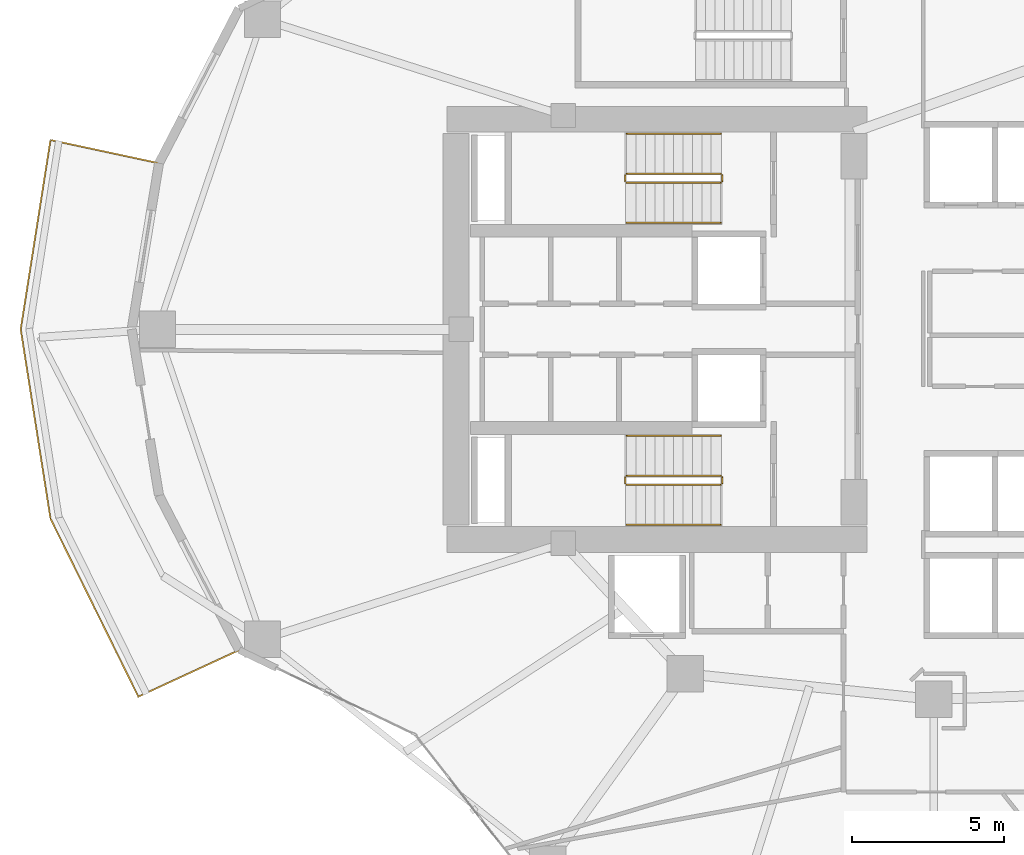
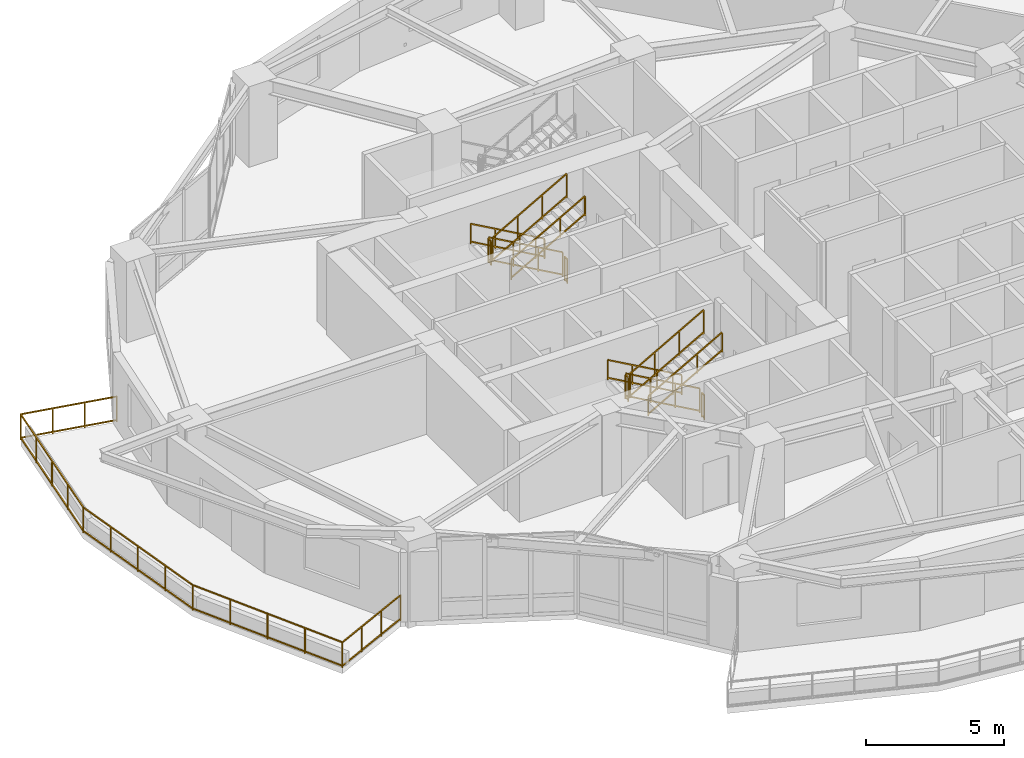
# One storey, part 16 of 18: 13 railings.
"""IFC4 building model written with IfcOpenShell, lengths in metres."""

from ifc_helpers import new_model, si_unit, direction, frame, origin, origin_2d, place, context, subcontext, project, spatial, rectangle, extrude, material, type_object, element, save


model = new_model("IFC4")

# Units and contexts
model_context = context("Model", 3, precision=1e-05, world=origin(), true_north=direction((0.0, 1.0)))
body_context = subcontext(model_context, "Body", "Model", "MODEL_VIEW")
ifc_project = project(units=[si_unit("LENGTHUNIT", "METRE"), si_unit("AREAUNIT", "SQUARE_METRE"), si_unit("VOLUMEUNIT", "CUBIC_METRE"), si_unit("PLANEANGLEUNIT", "RADIAN"), si_unit("MASSUNIT", "GRAM", prefix="KILO")], contexts=[model_context])

# Site, building, storey
site_placement = place(None, origin())
site = spatial("IfcSite", under=ifc_project, at=site_placement, CompositionType="ELEMENT")
building_placement = place(site_placement, origin())
building = spatial("IfcBuilding", under=site, at=building_placement, Name="Kolvaren Gate Tower and Convention Centre", CompositionType="ELEMENT")
storey_placement = place(building_placement, frame((0.0, 0.0, 53.449951171875)))
storey = spatial("IfcBuildingStorey", under=building, at=storey_placement, Name="L12", CompositionType="ELEMENT", Elevation=53.449951171875)

# Railings
ifc_material = material(Name="Brushed Stainless Steel Grade 316L", Category="steel")
railing_type_1 = type_object("IfcRailingType", Name="ARCH-RL-GUARD-1150", PredefinedType="GUARDRAIL", material=ifc_material)
railing_1_placement = place(storey_placement, frame((23.10009765625, 32.1298828125, 0.175048828125)))
element("IfcRailing", 1, at=railing_1_placement, inside=storey, type_object=railing_type_1, Name="L12 ST-T1 stair guard 1", PredefinedType="GUARDRAIL", context=body_context, shape_type="SweptSolid", body=[
    extrude(rectangle(XDim=0.048095703125, YDim=0.048095703125, at=origin_2d()), frame((0.0, 0.0, 1.076171875), z_axis=(-0.870830938388, 0.0, 0.491582624537), x_axis=(0.0, -1.0, 0.0)), (0.0, 0.0, 1.0), 3.559814453125),
    extrude(rectangle(XDim=0.048095703125, YDim=0.048095703125, at=origin_2d()), frame((0.0, 0.0, 0.083984375), z_axis=(-0.870830938388, 0.0, 0.491582624537), x_axis=(0.0, -1.0, 0.0)), (0.0, 0.0, 1.0), 3.559814453125),
    extrude(rectangle(XDim=0.0419921875, YDim=0.0419921875, at=origin_2d()), origin(), (0.0, 0.0, 1.0), 1.050048828125),
    extrude(rectangle(XDim=0.0419921875, YDim=0.0419921875, at=origin_2d()), frame((-3.10009765625, 0.0, 1.75)), (0.0, 0.0, 1.0), 1.050048828125),
    extrude(rectangle(XDim=0.0419921875, YDim=0.0419921875, at=origin_2d()), frame((-1.033447265625, 0.0, 0.583251953125)), (0.0, 0.0, 1.0), 1.050048828125),
    extrude(rectangle(XDim=0.0419921875, YDim=0.0419921875, at=origin_2d()), frame((-2.066650390625, 0.0, 1.166748046875)), (0.0, 0.0, 1.0), 1.050048828125),
])
railing_2_placement = place(storey_placement, frame((19.949951171875, 32.080078125, 1.925048828125)))
element("IfcRailing", 2, at=railing_2_placement, inside=storey, type_object=railing_type_1, Name="L12 ST-T1 stair guard 2", PredefinedType="GUARDRAIL", context=body_context, shape_type="SweptSolid", body=[
    extrude(rectangle(XDim=0.048095703125, YDim=0.048095703125, at=origin_2d()), frame((0.0, 0.0, 1.076171875), z_axis=(0.0, -1.0, 0.0), x_axis=(1.0, 0.0, 0.0)), (0.0, 0.0, 1.0), 0.2001953125),
    extrude(rectangle(XDim=0.048095703125, YDim=0.048095703125, at=origin_2d()), frame((0.0, 0.0, 0.083984375), z_axis=(0.0, -1.0, 0.0), x_axis=(1.0, 0.0, 0.0)), (0.0, 0.0, 1.0), 0.2001953125),
    extrude(rectangle(XDim=0.0419921875, YDim=0.0419921875, at=origin_2d()), origin(), (0.0, 0.0, 1.0), 1.050048828125),
    extrude(rectangle(XDim=0.0419921875, YDim=0.0419921875, at=origin_2d()), frame((0.0, -0.2001953125, 0.0)), (0.0, 0.0, 1.0), 1.050048828125),
])
railing_3_placement = place(storey_placement, frame((20.0, 31.830078125, 2.10009765625)))
element("IfcRailing", 3, at=railing_3_placement, inside=storey, type_object=railing_type_1, Name="L12 ST-T1 stair guard 3", PredefinedType="GUARDRAIL", context=body_context, shape_type="SweptSolid", body=[
    extrude(rectangle(XDim=0.048095703125, YDim=0.048095703125, at=origin_2d()), frame((0.0, 0.0, 1.076171875), z_axis=(0.870830938388, 0.0, 0.491582624537), x_axis=(0.0, 1.0, 0.0)), (0.0, 0.0, 1.0), 3.559814453125),
    extrude(rectangle(XDim=0.048095703125, YDim=0.048095703125, at=origin_2d()), frame((0.0, 0.0, 0.083984375), z_axis=(0.870830938388, 0.0, 0.491582624537), x_axis=(0.0, 1.0, 0.0)), (0.0, 0.0, 1.0), 3.559814453125),
    extrude(rectangle(XDim=0.0419921875, YDim=0.0419921875, at=origin_2d()), origin(), (0.0, 0.0, 1.0), 1.050048828125),
    extrude(rectangle(XDim=0.0419921875, YDim=0.0419921875, at=origin_2d()), frame((3.10009765625, 0.0, 1.75)), (0.0, 0.0, 1.0), 1.050048828125),
    extrude(rectangle(XDim=0.0419921875, YDim=0.0419921875, at=origin_2d()), frame((1.033447265625, 0.0, 0.583251953125)), (0.0, 0.0, 1.0), 1.050048828125),
    extrude(rectangle(XDim=0.0419921875, YDim=0.0419921875, at=origin_2d()), frame((2.066650390625, 0.0, 1.166748046875)), (0.0, 0.0, 1.0), 1.050048828125),
])
railing_4_placement = place(storey_placement, frame((23.14990234375, 32.080078125, 0.0)))
element("IfcRailing", 4, at=railing_4_placement, inside=storey, type_object=railing_type_1, Name="L12 ST-T1 stair guard 4", PredefinedType="GUARDRAIL", context=body_context, shape_type="SweptSolid", body=[
    extrude(rectangle(XDim=0.048095703125, YDim=0.048095703125, at=origin_2d()), frame((0.0, 0.0, 1.076171875), z_axis=(0.0, -1.0, 0.0), x_axis=(1.0, 0.0, 0.0)), (0.0, 0.0, 1.0), 0.2001953125),
    extrude(rectangle(XDim=0.048095703125, YDim=0.048095703125, at=origin_2d()), frame((0.0, 0.0, 0.083984375), z_axis=(0.0, -1.0, 0.0), x_axis=(1.0, 0.0, 0.0)), (0.0, 0.0, 1.0), 0.2001953125),
    extrude(rectangle(XDim=0.0419921875, YDim=0.0419921875, at=origin_2d()), origin(), (0.0, 0.0, 1.0), 1.050048828125),
    extrude(rectangle(XDim=0.0419921875, YDim=0.0419921875, at=origin_2d()), frame((0.0, -0.2001953125, 0.0)), (0.0, 0.0, 1.0), 1.050048828125),
])
railing_5_placement = place(storey_placement, frame((23.10009765625, 22.169921875, 0.175048828125)))
element("IfcRailing", 5, at=railing_5_placement, inside=storey, type_object=railing_type_1, Name="L12 ST-T2 stair guard 1", PredefinedType="GUARDRAIL", context=body_context, shape_type="SweptSolid", body=[
    extrude(rectangle(XDim=0.048095703125, YDim=0.048095703125, at=origin_2d()), frame((0.0, 0.0, 1.076171875), z_axis=(-0.870830938388, 0.0, 0.491582624537), x_axis=(0.0, -1.0, 0.0)), (0.0, 0.0, 1.0), 3.559814453125),
    extrude(rectangle(XDim=0.048095703125, YDim=0.048095703125, at=origin_2d()), frame((0.0, 0.0, 0.083984375), z_axis=(-0.870830938388, 0.0, 0.491582624537), x_axis=(0.0, -1.0, 0.0)), (0.0, 0.0, 1.0), 3.559814453125),
    extrude(rectangle(XDim=0.0419921875, YDim=0.0419921875, at=origin_2d()), origin(), (0.0, 0.0, 1.0), 1.050048828125),
    extrude(rectangle(XDim=0.0419921875, YDim=0.0419921875, at=origin_2d()), frame((-3.10009765625, 0.0, 1.75)), (0.0, 0.0, 1.0), 1.050048828125),
    extrude(rectangle(XDim=0.0419921875, YDim=0.0419921875, at=origin_2d()), frame((-1.033447265625, 0.0, 0.583251953125)), (0.0, 0.0, 1.0), 1.050048828125),
    extrude(rectangle(XDim=0.0419921875, YDim=0.0419921875, at=origin_2d()), frame((-2.066650390625, 0.0, 1.166748046875)), (0.0, 0.0, 1.0), 1.050048828125),
])
railing_6_placement = place(storey_placement, frame((19.949951171875, 22.1201171875, 1.925048828125)))
element("IfcRailing", 6, at=railing_6_placement, inside=storey, type_object=railing_type_1, Name="L12 ST-T2 stair guard 2", PredefinedType="GUARDRAIL", context=body_context, shape_type="SweptSolid", body=[
    extrude(rectangle(XDim=0.048095703125, YDim=0.048095703125, at=origin_2d()), frame((0.0, 0.0, 1.076171875), z_axis=(0.0, -1.0, 0.0), x_axis=(1.0, 0.0, 0.0)), (0.0, 0.0, 1.0), 0.2001953125),
    extrude(rectangle(XDim=0.048095703125, YDim=0.048095703125, at=origin_2d()), frame((0.0, 0.0, 0.083984375), z_axis=(0.0, -1.0, 0.0), x_axis=(1.0, 0.0, 0.0)), (0.0, 0.0, 1.0), 0.2001953125),
    extrude(rectangle(XDim=0.0419921875, YDim=0.0419921875, at=origin_2d()), origin(), (0.0, 0.0, 1.0), 1.050048828125),
    extrude(rectangle(XDim=0.0419921875, YDim=0.0419921875, at=origin_2d()), frame((0.0, -0.2001953125, 0.0)), (0.0, 0.0, 1.0), 1.050048828125),
])
railing_7_placement = place(storey_placement, frame((20.0, 21.8701171875, 2.10009765625)))
element("IfcRailing", 7, at=railing_7_placement, inside=storey, type_object=railing_type_1, Name="L12 ST-T2 stair guard 3", PredefinedType="GUARDRAIL", context=body_context, shape_type="SweptSolid", body=[
    extrude(rectangle(XDim=0.048095703125, YDim=0.048095703125, at=origin_2d()), frame((0.0, 0.0, 1.076171875), z_axis=(0.870830938388, 0.0, 0.491582624537), x_axis=(0.0, 1.0, 0.0)), (0.0, 0.0, 1.0), 3.559814453125),
    extrude(rectangle(XDim=0.048095703125, YDim=0.048095703125, at=origin_2d()), frame((0.0, 0.0, 0.083984375), z_axis=(0.870830938388, 0.0, 0.491582624537), x_axis=(0.0, 1.0, 0.0)), (0.0, 0.0, 1.0), 3.559814453125),
    extrude(rectangle(XDim=0.0419921875, YDim=0.0419921875, at=origin_2d()), origin(), (0.0, 0.0, 1.0), 1.050048828125),
    extrude(rectangle(XDim=0.0419921875, YDim=0.0419921875, at=origin_2d()), frame((3.10009765625, 0.0, 1.75)), (0.0, 0.0, 1.0), 1.050048828125),
    extrude(rectangle(XDim=0.0419921875, YDim=0.0419921875, at=origin_2d()), frame((1.033447265625, 0.0, 0.583251953125)), (0.0, 0.0, 1.0), 1.050048828125),
    extrude(rectangle(XDim=0.0419921875, YDim=0.0419921875, at=origin_2d()), frame((2.066650390625, 0.0, 1.166748046875)), (0.0, 0.0, 1.0), 1.050048828125),
])
railing_8_placement = place(storey_placement, frame((23.14990234375, 22.1201171875, 0.0)))
element("IfcRailing", 8, at=railing_8_placement, inside=storey, type_object=railing_type_1, Name="L12 ST-T2 stair guard 4", PredefinedType="GUARDRAIL", context=body_context, shape_type="SweptSolid", body=[
    extrude(rectangle(XDim=0.048095703125, YDim=0.048095703125, at=origin_2d()), frame((0.0, 0.0, 1.076171875), z_axis=(0.0, -1.0, 0.0), x_axis=(1.0, 0.0, 0.0)), (0.0, 0.0, 1.0), 0.2001953125),
    extrude(rectangle(XDim=0.048095703125, YDim=0.048095703125, at=origin_2d()), frame((0.0, 0.0, 0.083984375), z_axis=(0.0, -1.0, 0.0), x_axis=(1.0, 0.0, 0.0)), (0.0, 0.0, 1.0), 0.2001953125),
    extrude(rectangle(XDim=0.0419921875, YDim=0.0419921875, at=origin_2d()), origin(), (0.0, 0.0, 1.0), 1.050048828125),
    extrude(rectangle(XDim=0.0419921875, YDim=0.0419921875, at=origin_2d()), frame((0.0, -0.2001953125, 0.0)), (0.0, 0.0, 1.0), 1.050048828125),
])
railing_9_placement = place(storey_placement, frame((4.58837890625, 32.47412109375, 0.0)))
element("IfcRailing", 9, at=railing_9_placement, inside=storey, type_object=railing_type_1, Name="Tower L12 Terrace Perimeter Guardrail GR-2", PredefinedType="GUARDRAIL", context=body_context, shape_type="SweptSolid", body=[
    extrude(rectangle(XDim=0.048095703125, YDim=0.048095703125, at=origin_2d()), frame((-0.02734375, 0.005859375, 1.1259765625), z_axis=(-0.977791675321, 0.209579196661, 0.0), x_axis=(-0.209579196661, -0.977791675321, 0.0)), (0.0, 0.0, 1.0), 3.60400390625),
    extrude(rectangle(XDim=0.048095703125, YDim=0.048095703125, at=origin_2d()), frame((-0.02734375, 0.005859375, 0.083984375), z_axis=(-0.977791675321, 0.209579196661, 0.0), x_axis=(-0.209579196661, -0.977791675321, 0.0)), (0.0, 0.0, 1.0), 3.60400390625),
    extrude(rectangle(XDim=0.048095703125, YDim=0.048095703125, at=origin_2d()), frame((-3.583251953125, 0.739501953125, 1.1259765625), z_axis=(-0.155418843943, -0.98784866399, 0.0), x_axis=(0.98784866399, -0.155418843943, 0.0)), (0.0, 0.0, 1.0), 6.261962890625),
    extrude(rectangle(XDim=0.048095703125, YDim=0.048095703125, at=origin_2d()), frame((-3.583251953125, 0.739501953125, 0.083984375), z_axis=(-0.155418843943, -0.98784866399, 0.0), x_axis=(0.98784866399, -0.155418843943, 0.0)), (0.0, 0.0, 1.0), 6.261962890625),
    extrude(rectangle(XDim=0.048095703125, YDim=0.048095703125, at=origin_2d()), frame((-4.556396484375, -5.501708984375, 1.1259765625), z_axis=(0.155418843943, -0.98784866399, 0.0), x_axis=(0.98784866399, 0.155418843943, 0.0)), (0.0, 0.0, 1.0), 6.261962890625),
    extrude(rectangle(XDim=0.048095703125, YDim=0.048095703125, at=origin_2d()), frame((-4.556396484375, -5.501708984375, 0.083984375), z_axis=(0.155418843943, -0.98784866399, 0.0), x_axis=(0.98784866399, 0.155418843943, 0.0)), (0.0, 0.0, 1.0), 6.261962890625),
    extrude(rectangle(XDim=0.048095703125, YDim=0.048095703125, at=origin_2d()), frame((-3.56640625, -11.740478515625, 1.1259765625), z_axis=(0.442686636348, -0.89667638644, 0.0), x_axis=(0.89667638644, 0.442686636348, 0.0)), (0.0, 0.0, 1.0), 6.488525390625),
    extrude(rectangle(XDim=0.048095703125, YDim=0.048095703125, at=origin_2d()), frame((-3.56640625, -11.740478515625, 0.083984375), z_axis=(0.442686636348, -0.89667638644, 0.0), x_axis=(0.89667638644, 0.442686636348, 0.0)), (0.0, 0.0, 1.0), 6.488525390625),
    extrude(rectangle(XDim=0.048095703125, YDim=0.048095703125, at=origin_2d()), frame((-0.65625, -17.572021484375, 1.1259765625), z_axis=(0.907846116663, 0.419303503993, 0.0), x_axis=(-0.419303503993, 0.907846116663, 0.0)), (0.0, 0.0, 1.0), 3.60400390625),
    extrude(rectangle(XDim=0.048095703125, YDim=0.048095703125, at=origin_2d()), frame((-0.65625, -17.572021484375, 0.083984375), z_axis=(0.907846116663, 0.419303503993, 0.0), x_axis=(-0.419303503993, 0.907846116663, 0.0)), (0.0, 0.0, 1.0), 3.60400390625),
    extrude(rectangle(XDim=0.0419921875, YDim=0.0419921875, at=origin_2d()), origin(), (0.0, 0.0, 1.0), 1.14990234375),
    extrude(rectangle(XDim=0.0419921875, YDim=0.0419921875, at=origin_2d()), frame((-3.578857421875, 0.76708984375, 0.0)), (0.0, 0.0, 1.0), 1.14990234375),
    extrude(rectangle(XDim=0.0419921875, YDim=0.0419921875, at=origin_2d()), frame((-1.19287109375, 0.255615234375, 0.0)), (0.0, 0.0, 1.0), 1.099853515625),
    extrude(rectangle(XDim=0.0419921875, YDim=0.0419921875, at=origin_2d()), frame((-2.385986328125, 0.511474609375, 0.0)), (0.0, 0.0, 1.0), 1.099853515625),
    extrude(rectangle(XDim=0.0419921875, YDim=0.0419921875, at=origin_2d()), frame((-4.560791015625, -5.47412109375, 0.0)), (0.0, 0.0, 1.0), 1.14990234375),
    extrude(rectangle(XDim=0.0419921875, YDim=0.0419921875, at=origin_2d()), frame((-3.82421875, -0.793212890625, 0.0)), (0.0, 0.0, 1.0), 1.099853515625),
    extrude(rectangle(XDim=0.0419921875, YDim=0.0419921875, at=origin_2d()), frame((-4.06982421875, -2.353515625, 0.0)), (0.0, 0.0, 1.0), 1.099853515625),
    extrude(rectangle(XDim=0.0419921875, YDim=0.0419921875, at=origin_2d()), frame((-4.3154296875, -3.913818359375, 0.0)), (0.0, 0.0, 1.0), 1.099853515625),
    extrude(rectangle(XDim=0.0419921875, YDim=0.0419921875, at=origin_2d()), frame((-3.578857421875, -11.71533203125, 0.0)), (0.0, 0.0, 1.0), 1.14990234375),
    extrude(rectangle(XDim=0.0419921875, YDim=0.0419921875, at=origin_2d()), frame((-4.3154296875, -7.034423828125, 0.0)), (0.0, 0.0, 1.0), 1.099853515625),
    extrude(rectangle(XDim=0.0419921875, YDim=0.0419921875, at=origin_2d()), frame((-4.06982421875, -8.5947265625, 0.0)), (0.0, 0.0, 1.0), 1.099853515625),
    extrude(rectangle(XDim=0.0419921875, YDim=0.0419921875, at=origin_2d()), frame((-3.82421875, -10.155029296875, 0.0)), (0.0, 0.0, 1.0), 1.099853515625),
    extrude(rectangle(XDim=0.0419921875, YDim=0.0419921875, at=origin_2d()), frame((-0.681640625, -17.583740234375, 0.0)), (0.0, 0.0, 1.0), 1.14990234375),
    extrude(rectangle(XDim=0.0419921875, YDim=0.0419921875, at=origin_2d()), frame((-2.8544921875, -13.182373046875, 0.0)), (0.0, 0.0, 1.0), 1.099853515625),
    extrude(rectangle(XDim=0.0419921875, YDim=0.0419921875, at=origin_2d()), frame((-2.13037109375, -14.6494140625, 0.0)), (0.0, 0.0, 1.0), 1.099853515625),
    extrude(rectangle(XDim=0.0419921875, YDim=0.0419921875, at=origin_2d()), frame((-1.406005859375, -16.11669921875, 0.0)), (0.0, 0.0, 1.0), 1.099853515625),
    extrude(rectangle(XDim=0.0419921875, YDim=0.0419921875, at=origin_2d()), frame((2.64111328125, -16.049072265625, 0.0)), (0.0, 0.0, 1.0), 1.14990234375),
    extrude(rectangle(XDim=0.0419921875, YDim=0.0419921875, at=origin_2d()), frame((0.426025390625, -17.072265625, 0.0)), (0.0, 0.0, 1.0), 1.099853515625),
    extrude(rectangle(XDim=0.0419921875, YDim=0.0419921875, at=origin_2d()), frame((1.533447265625, -16.560546875, 0.0)), (0.0, 0.0, 1.0), 1.099853515625),
])
railing_type_2 = type_object("IfcRailingType", Name="ARCH-RL-HANDRAIL-920", PredefinedType="HANDRAIL", material=ifc_material)
railing_10_placement = place(storey_placement, frame((23.10009765625, 33.449951171875, 0.175048828125)))
element("IfcRailing", 10, at=railing_10_placement, inside=storey, type_object=railing_type_2, Name="L12 ST-T1 stair handrail 1", PredefinedType="HANDRAIL", context=body_context, shape_type="SweptSolid", body=[
    extrude(rectangle(XDim=0.048095703125, YDim=0.048095703125, at=origin_2d()), frame((0.0, 0.0, 0.8759765625), z_axis=(-0.870830938388, 0.0, 0.491582624537), x_axis=(0.0, -1.0, 0.0)), (0.0, 0.0, 1.0), 3.559814453125),
    extrude(rectangle(XDim=0.048095703125, YDim=0.048095703125, at=origin_2d()), frame((0.0, 0.0, 0.083984375), z_axis=(-0.870830938388, 0.0, 0.491582624537), x_axis=(0.0, -1.0, 0.0)), (0.0, 0.0, 1.0), 3.559814453125),
    extrude(rectangle(XDim=0.0419921875, YDim=0.0419921875, at=origin_2d()), origin(), (0.0, 0.0, 1.0), 0.849853515625),
    extrude(rectangle(XDim=0.0419921875, YDim=0.0419921875, at=origin_2d()), frame((-3.10009765625, 0.0, 1.75)), (0.0, 0.0, 1.0), 0.849853515625),
    extrude(rectangle(XDim=0.0419921875, YDim=0.0419921875, at=origin_2d()), frame((-1.033447265625, 0.0, 0.583251953125)), (0.0, 0.0, 1.0), 0.849853515625),
    extrude(rectangle(XDim=0.0419921875, YDim=0.0419921875, at=origin_2d()), frame((-2.066650390625, 0.0, 1.166748046875)), (0.0, 0.0, 1.0), 0.849853515625),
])
railing_11_placement = place(storey_placement, frame((20.0, 30.510009765625, 2.10009765625)))
element("IfcRailing", 11, at=railing_11_placement, inside=storey, type_object=railing_type_2, Name="L12 ST-T1 stair handrail 2", PredefinedType="HANDRAIL", context=body_context, shape_type="SweptSolid", body=[
    extrude(rectangle(XDim=0.048095703125, YDim=0.048095703125, at=origin_2d()), frame((0.0, 0.0, 0.8759765625), z_axis=(0.870830938388, 0.0, 0.491582624537), x_axis=(0.0, 1.0, 0.0)), (0.0, 0.0, 1.0), 3.559814453125),
    extrude(rectangle(XDim=0.048095703125, YDim=0.048095703125, at=origin_2d()), frame((0.0, 0.0, 0.083984375), z_axis=(0.870830938388, 0.0, 0.491582624537), x_axis=(0.0, 1.0, 0.0)), (0.0, 0.0, 1.0), 3.559814453125),
    extrude(rectangle(XDim=0.0419921875, YDim=0.0419921875, at=origin_2d()), origin(), (0.0, 0.0, 1.0), 0.849853515625),
    extrude(rectangle(XDim=0.0419921875, YDim=0.0419921875, at=origin_2d()), frame((3.10009765625, 0.0, 1.75)), (0.0, 0.0, 1.0), 0.849853515625),
    extrude(rectangle(XDim=0.0419921875, YDim=0.0419921875, at=origin_2d()), frame((1.033447265625, 0.0, 0.583251953125)), (0.0, 0.0, 1.0), 0.849853515625),
    extrude(rectangle(XDim=0.0419921875, YDim=0.0419921875, at=origin_2d()), frame((2.066650390625, 0.0, 1.166748046875)), (0.0, 0.0, 1.0), 0.849853515625),
])
railing_12_placement = place(storey_placement, frame((23.10009765625, 23.489990234375, 0.175048828125)))
element("IfcRailing", 12, at=railing_12_placement, inside=storey, type_object=railing_type_2, Name="L12 ST-T2 stair handrail 1", PredefinedType="HANDRAIL", context=body_context, shape_type="SweptSolid", body=[
    extrude(rectangle(XDim=0.048095703125, YDim=0.048095703125, at=origin_2d()), frame((0.0, 0.0, 0.8759765625), z_axis=(-0.870830938388, 0.0, 0.491582624537), x_axis=(0.0, -1.0, 0.0)), (0.0, 0.0, 1.0), 3.559814453125),
    extrude(rectangle(XDim=0.048095703125, YDim=0.048095703125, at=origin_2d()), frame((0.0, 0.0, 0.083984375), z_axis=(-0.870830938388, 0.0, 0.491582624537), x_axis=(0.0, -1.0, 0.0)), (0.0, 0.0, 1.0), 3.559814453125),
    extrude(rectangle(XDim=0.0419921875, YDim=0.0419921875, at=origin_2d()), origin(), (0.0, 0.0, 1.0), 0.849853515625),
    extrude(rectangle(XDim=0.0419921875, YDim=0.0419921875, at=origin_2d()), frame((-3.10009765625, 0.0, 1.75)), (0.0, 0.0, 1.0), 0.849853515625),
    extrude(rectangle(XDim=0.0419921875, YDim=0.0419921875, at=origin_2d()), frame((-1.033447265625, 0.0, 0.583251953125)), (0.0, 0.0, 1.0), 0.849853515625),
    extrude(rectangle(XDim=0.0419921875, YDim=0.0419921875, at=origin_2d()), frame((-2.066650390625, 0.0, 1.166748046875)), (0.0, 0.0, 1.0), 0.849853515625),
])
railing_13_placement = place(storey_placement, frame((20.0, 20.550048828125, 2.10009765625)))
element("IfcRailing", 13, at=railing_13_placement, inside=storey, type_object=railing_type_2, Name="L12 ST-T2 stair handrail 2", PredefinedType="HANDRAIL", context=body_context, shape_type="SweptSolid", body=[
    extrude(rectangle(XDim=0.048095703125, YDim=0.048095703125, at=origin_2d()), frame((0.0, 0.0, 0.8759765625), z_axis=(0.870830938388, 0.0, 0.491582624537), x_axis=(0.0, 1.0, 0.0)), (0.0, 0.0, 1.0), 3.559814453125),
    extrude(rectangle(XDim=0.048095703125, YDim=0.048095703125, at=origin_2d()), frame((0.0, 0.0, 0.083984375), z_axis=(0.870830938388, 0.0, 0.491582624537), x_axis=(0.0, 1.0, 0.0)), (0.0, 0.0, 1.0), 3.559814453125),
    extrude(rectangle(XDim=0.0419921875, YDim=0.0419921875, at=origin_2d()), origin(), (0.0, 0.0, 1.0), 0.849853515625),
    extrude(rectangle(XDim=0.0419921875, YDim=0.0419921875, at=origin_2d()), frame((3.10009765625, 0.0, 1.75)), (0.0, 0.0, 1.0), 0.849853515625),
    extrude(rectangle(XDim=0.0419921875, YDim=0.0419921875, at=origin_2d()), frame((1.033447265625, 0.0, 0.583251953125)), (0.0, 0.0, 1.0), 0.849853515625),
    extrude(rectangle(XDim=0.0419921875, YDim=0.0419921875, at=origin_2d()), frame((2.066650390625, 0.0, 1.166748046875)), (0.0, 0.0, 1.0), 0.849853515625),
])

save(model, "model.ifc")
